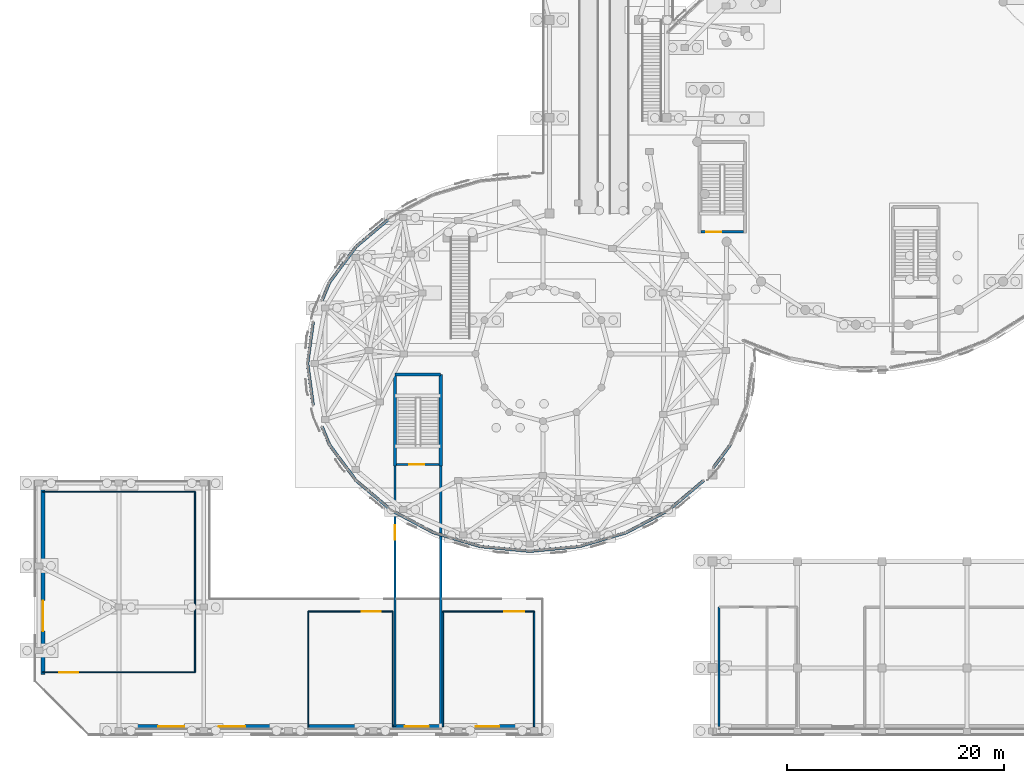
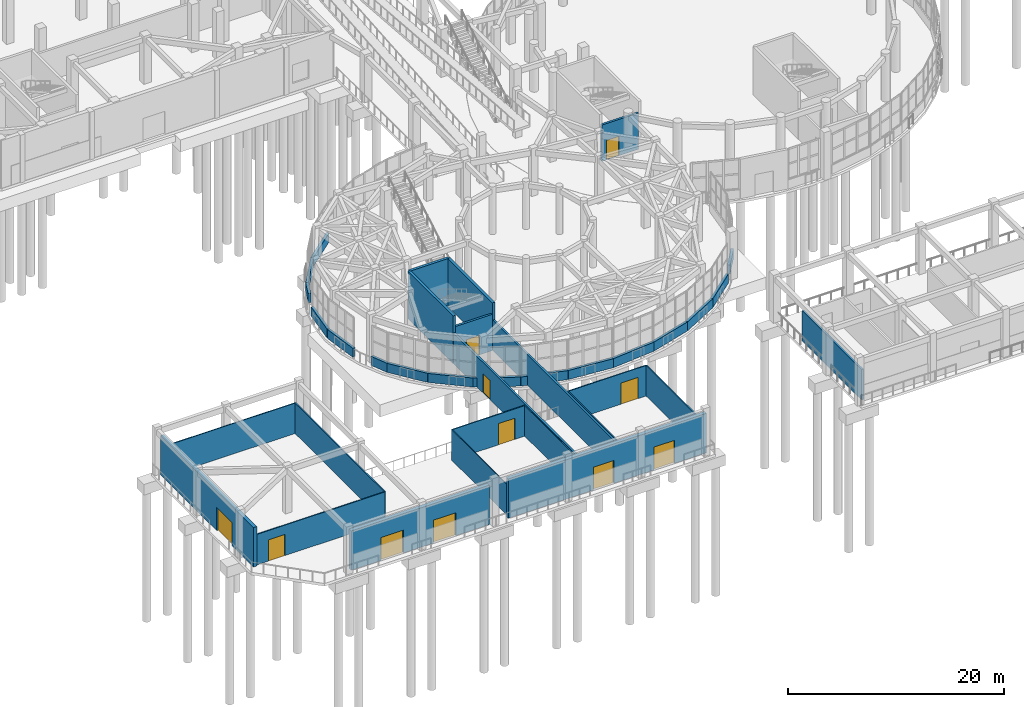
# One storey, part 71 of 96: 36 walls, 11 doors, 11 openings.
"""IFC4 building model written with IfcOpenShell, lengths in metres."""

from ifc_helpers import new_model, si_unit, direction, frame, frame_2d, origin, place, context, subcontext, project, spatial, rectangle, extrude, material, layer, layer_set, type_object, element, fill, save


model = new_model("IFC4")

# Units and contexts
model_context = context("Model", 3, precision=1e-05, world=origin(), true_north=direction((0.0, 1.0)))
body_context = subcontext(model_context, "Body", "Model", "MODEL_VIEW")
ifc_project = project(units=[si_unit("LENGTHUNIT", "METRE"), si_unit("AREAUNIT", "SQUARE_METRE"), si_unit("VOLUMEUNIT", "CUBIC_METRE"), si_unit("PLANEANGLEUNIT", "RADIAN"), si_unit("MASSUNIT", "GRAM", prefix="KILO")], contexts=[model_context])

# Site, building, storey
site_placement = place(None, origin())
site = spatial("IfcSite", under=ifc_project, at=site_placement, CompositionType="ELEMENT")
building_placement = place(site_placement, origin())
building = spatial("IfcBuilding", under=site, at=building_placement, Name="Pelvatis Terrace Science Centre", CompositionType="ELEMENT")
storey_placement = place(building_placement, origin())
storey = spatial("IfcBuildingStorey", under=building, at=storey_placement, Name="L00", CompositionType="ELEMENT", Elevation=0.0)

# Wall, openings, doors
ifc_material_1 = material(Name="Polished black Uruguayan granite masonry", Category="masonry")
ifc_layer_1 = layer(ifc_material_1, 0.3798828125)
ifc_layer_set_1 = layer_set([ifc_layer_1], Name="Polished black Uruguayan granite masonry")
wall_type_1 = type_object("IfcWallType", Name="WL-EXT-GRAN-380", PredefinedType="SOLIDWALL", material=ifc_layer_set_1)
wall_1_placement = place(storey_placement, frame((23.0, 0.800048828125, 0.0), z_axis=(0.0, 0.0, 1.0), x_axis=(-1.0, 0.0, 0.0)))
wall_1 = element("IfcWall", 1, at=wall_1_placement, inside=storey, type_object=wall_type_1, Name="L00 exterior wall EW-L00-S1", PredefinedType="SOLIDWALL", context=body_context, shape_type="SweptSolid", body=[
    extrude(rectangle(XDim=14.800048828125, YDim=0.3798828125, at=frame_2d((7.39990234375, 0.0))), origin(), (0.0, 0.0, 1.0), 4.4599609375),
])
opening_1_placement = place(wall_1_placement, frame((9.199951171875, 0.0, 0.0)))
opening_1 = element("IfcOpeningElement", 2, at=opening_1_placement, cuts=wall_1, Name="Opening D-001", PredefinedType="OPENING", context=body_context, shape_type="SweptSolid", body=[
    extrude(rectangle(XDim=2.39990234375, YDim=2.60009765625, at=frame_2d((1.199951171875, 1.300048828125))), frame((0.0, 0.199951171875, 0.0), z_axis=(0.0, -1.0, 0.0), x_axis=(1.0, 0.0, 0.0)), (0.0, 0.0, 1.0), 0.39990234375),
])
opening_2_placement = place(wall_1_placement, frame((3.60009765625, 0.0, 0.0)))
opening_2 = element("IfcOpeningElement", 3, at=opening_2_placement, cuts=wall_1, Name="Opening D-002", PredefinedType="OPENING", context=body_context, shape_type="SweptSolid", body=[
    extrude(rectangle(XDim=2.39990234375, YDim=2.60009765625, at=frame_2d((1.199951171875, 1.300048828125))), frame((0.0, 0.199951171875, 0.0), z_axis=(0.0, -1.0, 0.0), x_axis=(1.0, 0.0, 0.0)), (0.0, 0.0, 1.0), 0.39990234375),
])
ifc_material_2 = material(Name="Bronze-framed glazed double entrance door", Category="glass")
door_type_1 = type_object("IfcDoorType", Name="DR-EXT-2400x2600", OperationType="NOTDEFINED", PredefinedType="DOOR", material=ifc_material_2)
door_1_placement = place(opening_1_placement, origin())
door_1 = element("IfcDoor", 4, at=door_1_placement, inside=storey, type_object=door_type_1, Name="Main portico south exit door D-001", OperationType="DOUBLE_DOOR_SINGLE_SWING", OverallHeight=2.60009765625, OverallWidth=2.39990234375, PredefinedType="DOOR", context=body_context, shape_type="SweptSolid", body=[
    extrude(rectangle(XDim=2.39990234375, YDim=2.60009765625, at=frame_2d((1.199951171875, 1.300048828125))), frame((0.0, 0.02490234375, 0.0), z_axis=(0.0, -1.0, 0.0), x_axis=(1.0, 0.0, 0.0)), (0.0, 0.0, 1.0), 0.050048828125),
])
fill(opening_1, door_1)
door_2_placement = place(opening_2_placement, origin())
door_2 = element("IfcDoor", 5, at=door_2_placement, inside=storey, type_object=door_type_1, Name="Main portico south exit door D-002", OperationType="DOUBLE_DOOR_SINGLE_SWING", OverallHeight=2.60009765625, OverallWidth=2.39990234375, PredefinedType="DOOR", context=body_context, shape_type="SweptSolid", body=[
    extrude(rectangle(XDim=2.39990234375, YDim=2.60009765625, at=frame_2d((1.199951171875, 1.300048828125))), frame((0.0, 0.02490234375, 0.0), z_axis=(0.0, -1.0, 0.0), x_axis=(1.0, 0.0, 0.0)), (0.0, 0.0, 1.0), 0.050048828125),
])
fill(opening_2, door_2)

wall_2_placement = place(storey_placement, frame((46.199951171875, 0.800048828125, 0.0), z_axis=(0.0, 0.0, 1.0), x_axis=(-1.0, 0.0, 0.0)))
wall_2 = element("IfcWall", 6, at=wall_2_placement, inside=storey, type_object=wall_type_1, Name="L00 exterior wall EW-L00-S2", PredefinedType="SOLIDWALL", context=body_context, shape_type="SweptSolid", body=[
    extrude(rectangle(XDim=21.199951171875, YDim=0.3798828125, at=frame_2d((10.60009765625, 0.0))), origin(), (0.0, 0.0, 1.0), 4.4599609375),
])
opening_3_placement = place(wall_2_placement, frame((9.89990234375, 0.0, 0.0)))
opening_3 = element("IfcOpeningElement", 7, at=opening_3_placement, cuts=wall_2, Name="Opening D-003", PredefinedType="OPENING", context=body_context, shape_type="SweptSolid", body=[
    extrude(rectangle(XDim=2.199951171875, YDim=2.60009765625, at=frame_2d((1.10009765625, 1.300048828125))), frame((0.0, 0.199951171875, 0.0), z_axis=(0.0, -1.0, 0.0), x_axis=(1.0, 0.0, 0.0)), (0.0, 0.0, 1.0), 0.39990234375),
])
opening_4_placement = place(wall_2_placement, frame((3.39990234375, 0.0, 0.0)))
opening_4 = element("IfcOpeningElement", 8, at=opening_4_placement, cuts=wall_2, Name="Opening D-004", PredefinedType="OPENING", context=body_context, shape_type="SweptSolid", body=[
    extrude(rectangle(XDim=2.199951171875, YDim=2.60009765625, at=frame_2d((1.10009765625, 1.300048828125))), frame((0.0, 0.199951171875, 0.0), z_axis=(0.0, -1.0, 0.0), x_axis=(1.0, 0.0, 0.0)), (0.0, 0.0, 1.0), 0.39990234375),
])
ifc_material_3 = material(Name="Bronze-framed glazed double entrance door", Category="glass")
door_type_2 = type_object("IfcDoorType", Name="DR-EXT-2200x2600", OperationType="NOTDEFINED", PredefinedType="DOOR", material=ifc_material_3)
door_3_placement = place(opening_3_placement, origin())
door_3 = element("IfcDoor", 9, at=door_3_placement, inside=storey, type_object=door_type_2, Name="Science shop and cafe exit door D-003", OperationType="DOUBLE_DOOR_SINGLE_SWING", OverallHeight=2.60009765625, OverallWidth=2.199951171875, PredefinedType="DOOR", context=body_context, shape_type="SweptSolid", body=[
    extrude(rectangle(XDim=2.199951171875, YDim=2.60009765625, at=frame_2d((1.10009765625, 1.300048828125))), frame((0.0, 0.02490234375, 0.0), z_axis=(0.0, -1.0, 0.0), x_axis=(1.0, 0.0, 0.0)), (0.0, 0.0, 1.0), 0.050048828125),
])
fill(opening_3, door_3)
door_4_placement = place(opening_4_placement, origin())
door_4 = element("IfcDoor", 10, at=door_4_placement, inside=storey, type_object=door_type_2, Name="Public cafe south exit door D-004", OperationType="DOUBLE_DOOR_SINGLE_SWING", OverallHeight=2.60009765625, OverallWidth=2.199951171875, PredefinedType="DOOR", context=body_context, shape_type="SweptSolid", body=[
    extrude(rectangle(XDim=2.199951171875, YDim=2.60009765625, at=frame_2d((1.10009765625, 1.300048828125))), frame((0.0, 0.02490234375, 0.0), z_axis=(0.0, -1.0, 0.0), x_axis=(1.0, 0.0, 0.0)), (0.0, 0.0, 1.0), 0.050048828125),
])
fill(opening_4, door_4)

# Wall, opening, door
wall_3_placement = place(storey_placement, frame((0.800048828125, 5.60009765625, 0.0), z_axis=(0.0, 0.0, 1.0), x_axis=(0.0, 1.0, 0.0)))
wall_3 = element("IfcWall", 11, at=wall_3_placement, inside=storey, type_object=wall_type_1, Name="L00 exterior wall EW-L00-WESTPL", PredefinedType="SOLIDWALL", context=body_context, shape_type="SweptSolid", body=[
    extrude(rectangle(XDim=17.199951171875, YDim=0.3798828125, at=frame_2d((8.60009765625, 0.0))), origin(), (0.0, 0.0, 1.0), 4.4599609375),
])
opening_5_placement = place(wall_3_placement, frame((4.0, 0.0, 0.0)))
opening_5 = element("IfcOpeningElement", 12, at=opening_5_placement, cuts=wall_3, Name="Opening G-004", PredefinedType="OPENING", context=body_context, shape_type="SweptSolid", body=[
    extrude(rectangle(XDim=2.800048828125, YDim=2.60009765625, at=frame_2d((1.39990234375, 1.300048828125))), frame((0.0, 0.199951171875, 0.0), z_axis=(0.0, -1.0, 0.0), x_axis=(1.0, 0.0, 0.0)), (0.0, 0.0, 1.0), 0.39990234375),
])
ifc_material_4 = material(Name="Perforated bronze botanical court gate", Category="aluminium")
door_type_3 = type_object("IfcDoorType", Name="GT-PAR-2800x2600", OperationType="NOTDEFINED", PredefinedType="GATE", material=ifc_material_4)
door_5_placement = place(opening_5_placement, origin())
door_5 = element("IfcDoor", 13, at=door_5_placement, inside=storey, type_object=door_type_3, Name="West plaza colonnade gate G-004", OperationType="DOUBLE_DOOR_SINGLE_SWING", OverallHeight=2.60009765625, OverallWidth=2.800048828125, PredefinedType="GATE", context=body_context, shape_type="SweptSolid", body=[
    extrude(rectangle(XDim=2.800048828125, YDim=2.60009765625, at=frame_2d((1.39990234375, 1.300048828125))), frame((0.0, 0.02490234375, 0.0), z_axis=(0.0, -1.0, 0.0), x_axis=(1.0, 0.0, 0.0)), (0.0, 0.0, 1.0), 0.050048828125),
])
fill(opening_5, door_5)

# Walls
ifc_material_5 = material(Name="White architectural precast concrete C40/50 spandrel", Category="concrete")
ifc_layer_2 = layer(ifc_material_5, 0.27490234375)
ifc_layer_set_2 = layer_set([ifc_layer_2], Name="White architectural precast concrete C40/50 spandrel")
wall_type_2 = type_object("IfcWallType", Name="WL-EXT-SPND-275", PredefinedType="SOLIDWALL", material=ifc_layer_set_2)
wall_4_placement = place(storey_placement, frame((32.849609375, 47.6865234375, 0.0), z_axis=(0.0, 0.0, 1.0), x_axis=(-0.764366928563, -0.644781512234, 0.0)))
element("IfcWall", 14, at=wall_4_placement, inside=storey, type_object=wall_type_2, Name="V3 white spiral spandrel band 11 (L00)", PredefinedType="SOLIDWALL", context=body_context, shape_type="SweptSolid", body=[
    extrude(rectangle(XDim=4.236328125, YDim=0.27490234375, at=frame_2d((2.1181640625, 0.0))), origin(), (0.0, 0.0, 1.0), 1.02001953125),
])
wall_5_placement = place(storey_placement, frame((29.611572265625, 44.955078125, 0.0), z_axis=(0.0, 0.0, 1.0), x_axis=(-0.597391499289, -0.801949746915, 0.0)))
element("IfcWall", 15, at=wall_5_placement, inside=storey, type_object=wall_type_2, Name="V3 white spiral spandrel band 12 (L00)", PredefinedType="SOLIDWALL", context=body_context, shape_type="SweptSolid", body=[
    extrude(rectangle(XDim=4.078125, YDim=0.27490234375, at=frame_2d((2.0390625, 0.0))), origin(), (0.0, 0.0, 1.0), 1.02001953125),
])
wall_6_placement = place(storey_placement, frame((27.17529296875, 41.6845703125, 0.0), z_axis=(0.0, 0.0, 1.0), x_axis=(-0.383223147377, -0.923655790495, 0.0)))
element("IfcWall", 16, at=wall_6_placement, inside=storey, type_object=wall_type_2, Name="V3 white spiral spandrel band 13 (L00)", PredefinedType="SOLIDWALL", context=body_context, shape_type="SweptSolid", body=[
    extrude(rectangle(XDim=1.8310546875, YDim=0.27490234375, at=frame_2d((0.91552734375, 0.0))), origin(), (0.0, 0.0, 1.0), 1.02001953125),
])
wall_7_placement = place(storey_placement, frame((25.66259765625, 38.03857421875, 0.0), z_axis=(0.0, 0.0, 1.0), x_axis=(-0.132386701209, -0.99119814434, 0.0)))
element("IfcWall", 17, at=wall_7_placement, inside=storey, type_object=wall_type_2, Name="V3 white spiral spandrel band 14 (L00)", PredefinedType="SOLIDWALL", context=body_context, shape_type="SweptSolid", body=[
    extrude(rectangle(XDim=3.872802734375, YDim=0.27490234375, at=frame_2d((1.9365234375, 0.0))), origin(), (0.0, 0.0, 1.0), 1.02001953125),
])
wall_8_placement = place(storey_placement, frame((25.14990234375, 34.199951171875, 0.0), z_axis=(0.0, 0.0, 1.0), x_axis=(0.132394974091, -0.99119703936, 0.0)))
element("IfcWall", 18, at=wall_8_placement, inside=storey, type_object=wall_type_2, Name="V3 white spiral spandrel band 15 (L00)", PredefinedType="SOLIDWALL", context=body_context, shape_type="SweptSolid", body=[
    extrude(rectangle(XDim=3.87255859375, YDim=0.27490234375, at=frame_2d((1.936279296875, 0.0))), origin(), (0.0, 0.0, 1.0), 1.02001953125),
])
wall_9_placement = place(storey_placement, frame((26.4736328125, 28.406494140625, 0.0), z_axis=(0.0, 0.0, 1.0), x_axis=(0.383270351045, -0.923636204363, 0.0)))
element("IfcWall", 19, at=wall_9_placement, inside=storey, type_object=wall_type_2, Name="V3 white spiral spandrel band 16 (L00)", PredefinedType="SOLIDWALL", context=body_context, shape_type="SweptSolid", body=[
    extrude(rectangle(XDim=1.830810546875, YDim=0.27490234375, at=frame_2d((0.91552734375, 0.0))), origin(), (0.0, 0.0, 1.0), 1.02001953125),
])
wall_10_placement = place(storey_placement, frame((27.17529296875, 26.715576171875, 0.0), z_axis=(0.0, 0.0, 1.0), x_axis=(0.597362820345, -0.801971109747, 0.0)))
element("IfcWall", 20, at=wall_10_placement, inside=storey, type_object=wall_type_2, Name="V3 white spiral spandrel band 17 (L00)", PredefinedType="SOLIDWALL", context=body_context, shape_type="SweptSolid", body=[
    extrude(rectangle(XDim=4.078369140625, YDim=0.27490234375, at=frame_2d((2.0390625, 0.0))), origin(), (0.0, 0.0, 1.0), 1.02001953125),
])
wall_11_placement = place(storey_placement, frame((29.611572265625, 23.44482421875, 0.0), z_axis=(0.0, 0.0, 1.0), x_axis=(0.764366928563, -0.644781512234, 0.0)))
element("IfcWall", 21, at=wall_11_placement, inside=storey, type_object=wall_type_2, Name="V3 white spiral spandrel band 18 (L00)", PredefinedType="SOLIDWALL", context=body_context, shape_type="SweptSolid", body=[
    extrude(rectangle(XDim=4.236328125, YDim=0.27490234375, at=frame_2d((2.1181640625, 0.0))), origin(), (0.0, 0.0, 1.0), 1.02001953125),
])
wall_12_placement = place(storey_placement, frame((32.849609375, 20.71337890625, 0.0), z_axis=(0.0, 0.0, 1.0), x_axis=(0.883560469247, -0.468317090425, 0.0)))
element("IfcWall", 22, at=wall_12_placement, inside=storey, type_object=wall_type_2, Name="V3 white spiral spandrel band 19 (L00)", PredefinedType="SOLIDWALL", context=body_context, shape_type="SweptSolid", body=[
    extrude(rectangle(XDim=4.388427734375, YDim=0.27490234375, at=frame_2d((2.1943359375, 0.0))), origin(), (0.0, 0.0, 1.0), 1.02001953125),
])
wall_13_placement = place(storey_placement, frame((36.72705078125, 18.658203125, 0.0), z_axis=(0.0, 0.0, 1.0), x_axis=(0.959101976786, -0.28306076755, 0.0)))
element("IfcWall", 23, at=wall_13_placement, inside=storey, type_object=wall_type_2, Name="V3 white spiral spandrel band 20 (L00)", PredefinedType="SOLIDWALL", context=body_context, shape_type="SweptSolid", body=[
    extrude(rectangle(XDim=4.506591796875, YDim=0.27490234375, at=frame_2d((2.25341796875, 0.0))), origin(), (0.0, 0.0, 1.0), 1.02001953125),
])
wall_14_placement = place(storey_placement, frame((41.04931640625, 17.382568359375, 0.0), z_axis=(0.0, 0.0, 1.0), x_axis=(0.995511780068, -0.094637707848, 0.0)))
element("IfcWall", 24, at=wall_14_placement, inside=storey, type_object=wall_type_2, Name="V3 white spiral spandrel band 21 (L00)", PredefinedType="SOLIDWALL", context=body_context, shape_type="SweptSolid", body=[
    extrude(rectangle(XDim=4.5712890625, YDim=0.27490234375, at=frame_2d((2.28564453125, 0.0))), origin(), (0.0, 0.0, 1.0), 1.02001953125),
])
wall_15_placement = place(storey_placement, frame((45.60009765625, 16.949951171875, 0.0), z_axis=(0.0, 0.0, 1.0), x_axis=(0.995511301698, 0.094642739772, 0.0)))
element("IfcWall", 25, at=wall_15_placement, inside=storey, type_object=wall_type_2, Name="V3 white spiral spandrel band 22 (L00)", PredefinedType="SOLIDWALL", context=body_context, shape_type="SweptSolid", body=[
    extrude(rectangle(XDim=4.571044921875, YDim=0.27490234375, at=frame_2d((2.28564453125, 0.0))), origin(), (0.0, 0.0, 1.0), 1.02001953125),
])
wall_16_placement = place(storey_placement, frame((50.150634765625, 17.382568359375, 0.0), z_axis=(0.0, 0.0, 1.0), x_axis=(0.959101976786, 0.28306076755, 0.0)))
element("IfcWall", 26, at=wall_16_placement, inside=storey, type_object=wall_type_2, Name="V3 white spiral spandrel band 23 (L00)", PredefinedType="SOLIDWALL", context=body_context, shape_type="SweptSolid", body=[
    extrude(rectangle(XDim=4.506591796875, YDim=0.27490234375, at=frame_2d((2.25341796875, 0.0))), origin(), (0.0, 0.0, 1.0), 1.02001953125),
])
wall_17_placement = place(storey_placement, frame((54.472900390625, 18.658203125, 0.0), z_axis=(0.0, 0.0, 1.0), x_axis=(0.883560469247, 0.468317090425, 0.0)))
element("IfcWall", 27, at=wall_17_placement, inside=storey, type_object=wall_type_2, Name="V3 white spiral spandrel band 24 (L00)", PredefinedType="SOLIDWALL", context=body_context, shape_type="SweptSolid", body=[
    extrude(rectangle(XDim=4.388427734375, YDim=0.27490234375, at=frame_2d((2.1943359375, 0.0))), origin(), (0.0, 0.0, 1.0), 1.02001953125),
])
wall_18_placement = place(storey_placement, frame((58.350341796875, 20.71337890625, 0.0), z_axis=(0.0, 0.0, 1.0), x_axis=(0.764366928563, 0.644781512234, 0.0)))
element("IfcWall", 28, at=wall_18_placement, inside=storey, type_object=wall_type_2, Name="V3 white spiral spandrel band 25 (L00)", PredefinedType="SOLIDWALL", context=body_context, shape_type="SweptSolid", body=[
    extrude(rectangle(XDim=4.236328125, YDim=0.27490234375, at=frame_2d((2.1181640625, 0.0))), origin(), (0.0, 0.0, 1.0), 1.02001953125),
])
wall_19_placement = place(storey_placement, frame((62.44287109375, 24.591552734375, 0.0), z_axis=(0.0, 0.0, 1.0), x_axis=(0.597341843489, 0.801986734315, 0.0)))
element("IfcWall", 29, at=wall_19_placement, inside=storey, type_object=wall_type_2, Name="V3 white spiral spandrel band 26 (L00)", PredefinedType="SOLIDWALL", context=body_context, shape_type="SweptSolid", body=[
    extrude(rectangle(XDim=2.6484375, YDim=0.27490234375, at=frame_2d((1.32421875, 0.0))), origin(), (0.0, 0.0, 1.0), 1.02001953125),
])
ifc_material_6 = material(Name="Masonry fire-compartment wall", Category="masonry")
ifc_layer_3 = layer(ifc_material_6, 0.199951171875)
ifc_layer_set_3 = layer_set([ifc_layer_3], Name="Masonry fire-compartment wall")
wall_type_3 = type_object("IfcWallType", Name="WL-INT-COMP-200", PredefinedType="PARTITIONING", material=ifc_layer_set_3)
wall_20_placement = place(storey_placement, frame((63.0, 11.800048828125, 0.0), z_axis=(0.0, 0.0, 1.0), x_axis=(0.0, -1.0, 0.0)))
element("IfcWall", 30, at=wall_20_placement, inside=storey, type_object=wall_type_3, Name="Fire Command and Emergency Control Room partition wall W", PredefinedType="PARTITIONING", context=body_context, shape_type="SweptSolid", body=[
    extrude(rectangle(XDim=11.0, YDim=0.199951171875, at=frame_2d((5.5, 0.0))), origin(), (0.0, 0.0, 1.0), 3.449951171875),
])
ifc_material_7 = material(Name="Concrete C35/45 shaft dividing wall", Category="concrete")
ifc_layer_4 = layer(ifc_material_7, 0.2099609375)
ifc_layer_set_4 = layer_set([ifc_layer_4], Name="Concrete C35/45 shaft dividing wall")
wall_type_4 = type_object("IfcWallType", Name="WL-INT-CORE-210", PredefinedType="PARTITIONING", material=ifc_layer_set_4)
wall_21_placement = place(storey_placement, frame((37.39990234375, 0.800048828125, 0.0), z_axis=(0.0, 0.0, 1.0), x_axis=(0.0, 1.0, 0.0)))
element("IfcWall", 31, at=wall_21_placement, inside=storey, type_object=wall_type_4, Name="Protected Exit Discharge Lobby EX8 partition wall E", PredefinedType="PARTITIONING", context=body_context, shape_type="SweptSolid", body=[
    extrude(rectangle(XDim=24.0, YDim=0.2099609375, at=frame_2d((12.0, 0.0))), origin(), (0.0, 0.0, 1.0), 3.449951171875),
])

# Wall, opening, door
wall_22_placement = place(storey_placement, frame((33.199951171875, 0.800048828125, 0.0), z_axis=(0.0, 0.0, 1.0), x_axis=(0.0, 1.0, 0.0)))
wall_22 = element("IfcWall", 32, at=wall_22_placement, inside=storey, type_object=wall_type_4, Name="Protected Exit Discharge Lobby EX8 partition wall W", PredefinedType="PARTITIONING", context=body_context, shape_type="SweptSolid", body=[
    extrude(rectangle(XDim=24.0, YDim=0.2099609375, at=frame_2d((12.0, 0.0))), origin(), (0.0, 0.0, 1.0), 3.449951171875),
])
opening_6_placement = place(wall_22_placement, frame((17.199951171875, 0.0, 0.0)))
opening_6 = element("IfcOpeningElement", 33, at=opening_6_placement, cuts=wall_22, Name="Opening D-181", PredefinedType="OPENING", context=body_context, shape_type="SweptSolid", body=[
    extrude(rectangle(XDim=1.35009765625, YDim=2.199951171875, at=frame_2d((0.675048828125, 1.10009765625))), frame((0.0, 0.114990234375, 0.0), z_axis=(0.0, -1.0, 0.0), x_axis=(1.0, 0.0, 0.0)), (0.0, 0.0, 1.0), 0.22998046875),
])
ifc_material_8 = material(Name="Steel fire-rated protected stair door", Category="steel")
door_type_4 = type_object("IfcDoorType", Name="DR-STAIR-1350x2200", OperationType="NOTDEFINED", PredefinedType="DOOR", material=ifc_material_8)
door_6_placement = place(opening_6_placement, origin())
door_6 = element("IfcDoor", 34, at=door_6_placement, inside=storey, type_object=door_type_4, Name="Protected Exit Discharge Lobby EX8 entrance door", OperationType="SINGLE_SWING_RIGHT", OverallHeight=2.199951171875, OverallWidth=1.35009765625, PredefinedType="DOOR", context=body_context, shape_type="SweptSolid", body=[
    extrude(rectangle(XDim=1.35009765625, YDim=2.199951171875, at=frame_2d((0.675048828125, 1.10009765625))), frame((0.0, 0.02490234375, 0.0), z_axis=(0.0, -1.0, 0.0), x_axis=(1.0, 0.0, 0.0)), (0.0, 0.0, 1.0), 0.050048828125),
])
fill(opening_6, door_6)

ifc_material_9 = material(Name="Concrete C35/45 stair enclosure wall", Category="concrete")
ifc_layer_5 = layer(ifc_material_9, 0.22509765625)
ifc_layer_set_5 = layer_set([ifc_layer_5], Name="Concrete C35/45 stair enclosure wall")
wall_type_5 = type_object("IfcWallType", Name="WL-INT-CORE-225", PredefinedType="PARTITIONING", material=ifc_layer_set_5)
wall_23_placement = place(storey_placement, frame((61.340087890625, 46.320068359375, 0.0), z_axis=(0.0, 0.0, 1.0), x_axis=(1.0, 0.0, 0.0)))
wall_23 = element("IfcWall", 35, at=wall_23_placement, inside=storey, type_object=wall_type_5, Name="Stair ST-05 shaft wall S (L00)", PredefinedType="PARTITIONING", context=body_context, shape_type="SweptSolid", body=[
    extrude(rectangle(XDim=3.919921875, YDim=0.22509765625, at=frame_2d((1.9599609375, 0.0))), origin(), (0.0, 0.0, 1.0), 4.110107421875),
])
opening_7_placement = place(wall_23_placement, frame((0.5, 0.0, 0.0)))
opening_7 = element("IfcOpeningElement", 36, at=opening_7_placement, cuts=wall_23, Name="Opening D-151", PredefinedType="OPENING", context=body_context, shape_type="SweptSolid", body=[
    extrude(rectangle(XDim=1.35009765625, YDim=2.199951171875, at=frame_2d((0.675048828125, 1.10009765625))), frame((0.0, 0.12255859375, 0.0), z_axis=(0.0, -1.0, 0.0), x_axis=(1.0, 0.0, 0.0)), (0.0, 0.0, 1.0), 0.2451171875),
])
door_7_placement = place(opening_7_placement, origin())
door_7 = element("IfcDoor", 37, at=door_7_placement, inside=storey, type_object=door_type_4, Name="Stair ST-05 fire door (L00)", OperationType="SINGLE_SWING_LEFT", OverallHeight=2.199951171875, OverallWidth=1.35009765625, PredefinedType="DOOR", context=body_context, shape_type="SweptSolid", body=[
    extrude(rectangle(XDim=1.35009765625, YDim=2.199951171875, at=frame_2d((0.675048828125, 1.10009765625))), frame((0.0, 0.02490234375, 0.0), z_axis=(0.0, -1.0, 0.0), x_axis=(1.0, 0.0, 0.0)), (0.0, 0.0, 1.0), 0.050048828125),
])
fill(opening_7, door_7)

wall_24_placement = place(storey_placement, frame((33.340087890625, 24.919921875, 0.0), z_axis=(0.0, 0.0, 1.0), x_axis=(1.0, 0.0, 0.0)))
wall_24 = element("IfcWall", 38, at=wall_24_placement, inside=storey, type_object=wall_type_5, Name="Stair ST-08 shaft wall S (L00)", PredefinedType="PARTITIONING", context=body_context, shape_type="SweptSolid", body=[
    extrude(rectangle(XDim=3.919921875, YDim=0.22509765625, at=frame_2d((1.9599609375, 0.0))), origin(), (0.0, 0.0, 1.0), 4.110107421875),
])
opening_8_placement = place(wall_24_placement, frame((1.173095703125, 0.0, 0.0)))
opening_8 = element("IfcOpeningElement", 39, at=opening_8_placement, cuts=wall_24, Name="Opening D-160", PredefinedType="OPENING", context=body_context, shape_type="SweptSolid", body=[
    extrude(rectangle(XDim=1.35009765625, YDim=2.199951171875, at=frame_2d((0.675048828125, 1.10009765625))), frame((0.0, 0.12255859375, 0.0), z_axis=(0.0, -1.0, 0.0), x_axis=(1.0, 0.0, 0.0)), (0.0, 0.0, 1.0), 0.2451171875),
])
door_8_placement = place(opening_8_placement, origin())
door_8 = element("IfcDoor", 40, at=door_8_placement, inside=storey, type_object=door_type_4, Name="Stair ST-08 fire door (L00)", OperationType="SINGLE_SWING_LEFT", OverallHeight=2.199951171875, OverallWidth=1.35009765625, PredefinedType="DOOR", context=body_context, shape_type="SweptSolid", body=[
    extrude(rectangle(XDim=1.35009765625, YDim=2.199951171875, at=frame_2d((0.675048828125, 1.10009765625))), frame((0.0, 0.02490234375, 0.0), z_axis=(0.0, -1.0, 0.0), x_axis=(1.0, 0.0, 0.0)), (0.0, 0.0, 1.0), 0.050048828125),
])
fill(opening_8, door_8)

# Walls
ifc_material_10 = material(Name="Glazed laboratory screen", Category="glass")
ifc_layer_6 = layer(ifc_material_10, 0.097900390625)
ifc_layer_set_6 = layer_set([ifc_layer_6], Name="Glazed laboratory screen")
wall_type_6 = type_object("IfcWallType", Name="WL-INT-GAL-098", PredefinedType="PARTITIONING", material=ifc_layer_set_6)
wall_25_placement = place(storey_placement, frame((14.800048828125, 22.39990234375, 0.0), z_axis=(0.0, 0.0, 1.0), x_axis=(-1.0, 0.0, 0.0)))
element("IfcWall", 41, at=wall_25_placement, inside=storey, type_object=wall_type_6, Name="Visitor Ticketing and Cloakroom Foyer partition wall N", PredefinedType="PARTITIONING", context=body_context, shape_type="SweptSolid", body=[
    extrude(rectangle(XDim=14.0, YDim=0.097900390625, at=frame_2d((7.0, 0.0))), origin(), (0.0, 0.0, 1.0), 3.449951171875),
])
wall_26_placement = place(storey_placement, frame((25.199951171875, 11.39990234375, 0.0), z_axis=(0.0, 0.0, 1.0), x_axis=(0.0, -1.0, 0.0)))
element("IfcWall", 42, at=wall_26_placement, inside=storey, type_object=wall_type_6, Name="Museum Science Bookshop and Discovery Store partition wall W", PredefinedType="PARTITIONING", context=body_context, shape_type="SweptSolid", body=[
    extrude(rectangle(XDim=10.599853515625, YDim=0.097900390625, at=frame_2d((5.2998046875, 0.0))), origin(), (0.0, 0.0, 1.0), 3.449951171875),
])
ifc_material_11 = material(Name="Office partition wall", Category="masonry")
ifc_layer_7 = layer(ifc_material_11, 0.139892578125)
ifc_layer_set_7 = layer_set([ifc_layer_7], Name="Office partition wall")
wall_type_7 = type_object("IfcWallType", Name="WL-INT-GAL-140", PredefinedType="PARTITIONING", material=ifc_layer_set_7)
wall_27_placement = place(storey_placement, frame((46.0, 0.800048828125, 0.0), z_axis=(0.0, 0.0, 1.0), x_axis=(0.0, 1.0, 0.0)))
element("IfcWall", 43, at=wall_27_placement, inside=storey, type_object=wall_type_7, Name="Coastal Terrace Public Cafe and Dining Room partition wall E", PredefinedType="PARTITIONING", context=body_context, shape_type="SweptSolid", body=[
    extrude(rectangle(XDim=10.599853515625, YDim=0.139892578125, at=frame_2d((5.2998046875, 0.0))), origin(), (0.0, 0.0, 1.0), 3.449951171875),
])

# Wall, opening, door
ifc_material_12 = material(Name="Framed acoustic glass seminar screen", Category="glass")
ifc_layer_8 = layer(ifc_material_12, 0.10498046875)
ifc_layer_set_8 = layer_set([ifc_layer_8], Name="Framed acoustic glass seminar screen")
wall_type_8 = type_object("IfcWallType", Name="WL-INT-GLZ-105", PredefinedType="PARTITIONING", material=ifc_layer_set_8)
wall_28_placement = place(storey_placement, frame((0.800048828125, 5.800048828125, 0.0), z_axis=(0.0, 0.0, 1.0), x_axis=(1.0, 0.0, 0.0)))
wall_28 = element("IfcWall", 44, at=wall_28_placement, inside=storey, type_object=wall_type_8, Name="Visitor Ticketing and Cloakroom Foyer partition wall S", PredefinedType="PARTITIONING", context=body_context, shape_type="SweptSolid", body=[
    extrude(rectangle(XDim=14.0, YDim=0.10498046875, at=frame_2d((7.0, 0.0))), origin(), (0.0, 0.0, 1.0), 3.449951171875),
])
opening_9_placement = place(wall_28_placement, frame((1.50390625, 0.0, 0.0)))
opening_9 = element("IfcOpeningElement", 45, at=opening_9_placement, cuts=wall_28, Name="Opening D-173", PredefinedType="OPENING", context=body_context, shape_type="SweptSolid", body=[
    extrude(rectangle(XDim=1.75, YDim=2.39990234375, at=frame_2d((0.875, 1.199951171875))), frame((0.0, 0.0625, 0.0), z_axis=(0.0, -1.0, 0.0), x_axis=(1.0, 0.0, 0.0)), (0.0, 0.0, 1.0), 0.125),
])
ifc_material_13 = material(Name="Frameless laminated glass bookshop entrance door", Category="glass")
door_type_5 = type_object("IfcDoorType", Name="DR-SHOP-1750x2400", OperationType="NOTDEFINED", PredefinedType="DOOR", material=ifc_material_13)
door_9_placement = place(opening_9_placement, origin())
door_9 = element("IfcDoor", 46, at=door_9_placement, inside=storey, type_object=door_type_5, Name="Visitor Ticketing and Cloakroom Foyer entrance door", OperationType="DOUBLE_DOOR_SINGLE_SWING", OverallHeight=2.39990234375, OverallWidth=1.75, PredefinedType="DOOR", context=body_context, shape_type="SweptSolid", body=[
    extrude(rectangle(XDim=1.75, YDim=2.39990234375, at=frame_2d((0.875, 1.199951171875))), frame((0.0, 0.02490234375, 0.0), z_axis=(0.0, -1.0, 0.0), x_axis=(1.0, 0.0, 0.0)), (0.0, 0.0, 1.0), 0.050048828125),
])
fill(opening_9, door_9)

# Wall
wall_29_placement = place(storey_placement, frame((33.0, 0.800048828125, 0.0), z_axis=(0.0, 0.0, 1.0), x_axis=(0.0, 1.0, 0.0)))
element("IfcWall", 47, at=wall_29_placement, inside=storey, type_object=wall_type_8, Name="Museum Science Bookshop and Discovery Store partition wall E", PredefinedType="PARTITIONING", context=body_context, shape_type="SweptSolid", body=[
    extrude(rectangle(XDim=10.599853515625, YDim=0.10498046875, at=frame_2d((5.2998046875, 0.0))), origin(), (0.0, 0.0, 1.0), 3.449951171875),
])

# Wall, opening, door
wall_30_placement = place(storey_placement, frame((33.0, 11.39990234375, 0.0), z_axis=(0.0, 0.0, 1.0), x_axis=(-1.0, 0.0, 0.0)))
wall_30 = element("IfcWall", 48, at=wall_30_placement, inside=storey, type_object=wall_type_8, Name="Museum Science Bookshop and Discovery Store partition wall N", PredefinedType="PARTITIONING", context=body_context, shape_type="SweptSolid", body=[
    extrude(rectangle(XDim=7.800048828125, YDim=0.10498046875, at=frame_2d((3.89990234375, 0.0))), origin(), (0.0, 0.0, 1.0), 3.449951171875),
])
opening_10_placement = place(wall_30_placement, frame((1.10595703125, 0.0, 0.0)))
opening_10 = element("IfcOpeningElement", 49, at=opening_10_placement, cuts=wall_30, Name="Opening D-174", PredefinedType="OPENING", context=body_context, shape_type="SweptSolid", body=[
    extrude(rectangle(XDim=1.75, YDim=2.39990234375, at=frame_2d((0.875, 1.199951171875))), frame((0.0, 0.0625, 0.0), z_axis=(0.0, -1.0, 0.0), x_axis=(1.0, 0.0, 0.0)), (0.0, 0.0, 1.0), 0.125),
])
door_10_placement = place(opening_10_placement, origin())
door_10 = element("IfcDoor", 50, at=door_10_placement, inside=storey, type_object=door_type_5, Name="Museum Science Bookshop and Discovery Store entrance door", OperationType="DOUBLE_DOOR_SINGLE_SWING", OverallHeight=2.39990234375, OverallWidth=1.75, PredefinedType="DOOR", context=body_context, shape_type="SweptSolid", body=[
    extrude(rectangle(XDim=1.75, YDim=2.39990234375, at=frame_2d((0.875, 1.199951171875))), frame((0.0, 0.02490234375, 0.0), z_axis=(0.0, -1.0, 0.0), x_axis=(1.0, 0.0, 0.0)), (0.0, 0.0, 1.0), 0.050048828125),
])
fill(opening_10, door_10)

wall_31_placement = place(storey_placement, frame((46.0, 11.39990234375, 0.0), z_axis=(0.0, 0.0, 1.0), x_axis=(-1.0, 0.0, 0.0)))
wall_31 = element("IfcWall", 51, at=wall_31_placement, inside=storey, type_object=wall_type_8, Name="Coastal Terrace Public Cafe and Dining Room partition wall N", PredefinedType="PARTITIONING", context=body_context, shape_type="SweptSolid", body=[
    extrude(rectangle(XDim=8.39990234375, YDim=0.10498046875, at=frame_2d((4.199951171875, 0.0))), origin(), (0.0, 0.0, 1.0), 3.449951171875),
])
opening_11_placement = place(wall_31_placement, frame((0.910888671875, 0.0, 0.0)))
opening_11 = element("IfcOpeningElement", 52, at=opening_11_placement, cuts=wall_31, Name="Opening D-175", PredefinedType="OPENING", context=body_context, shape_type="SweptSolid", body=[
    extrude(rectangle(XDim=1.85009765625, YDim=2.39990234375, at=frame_2d((0.925048828125, 1.199951171875))), frame((0.0, 0.0625, 0.0), z_axis=(0.0, -1.0, 0.0), x_axis=(1.0, 0.0, 0.0)), (0.0, 0.0, 1.0), 0.125),
])
ifc_material_14 = material(Name="Bronze-framed glazed cafe double door", Category="glass")
door_type_6 = type_object("IfcDoorType", Name="DR-CAFE-1850x2400", OperationType="NOTDEFINED", PredefinedType="DOOR", material=ifc_material_14)
door_11_placement = place(opening_11_placement, origin())
door_11 = element("IfcDoor", 53, at=door_11_placement, inside=storey, type_object=door_type_6, Name="Coastal Terrace Public Cafe and Dining Room entrance door", OperationType="DOUBLE_DOOR_SINGLE_SWING", OverallHeight=2.39990234375, OverallWidth=1.85009765625, PredefinedType="DOOR", context=body_context, shape_type="SweptSolid", body=[
    extrude(rectangle(XDim=1.85009765625, YDim=2.39990234375, at=frame_2d((0.925048828125, 1.199951171875))), frame((0.0, 0.02490234375, 0.0), z_axis=(0.0, -1.0, 0.0), x_axis=(1.0, 0.0, 0.0)), (0.0, 0.0, 1.0), 0.050048828125),
])
fill(opening_11, door_11)

# Walls
ifc_material_15 = material(Name="Standard gypsum board partition", Category="masonry")
ifc_layer_9 = layer(ifc_material_15, 0.125)
ifc_layer_set_9 = layer_set([ifc_layer_9], Name="Standard gypsum board partition")
wall_type_9 = type_object("IfcWallType", Name="WL-INT-STD-125", PredefinedType="PARTITIONING", material=ifc_layer_set_9)
wall_32_placement = place(storey_placement, frame((14.800048828125, 5.800048828125, 0.0), z_axis=(0.0, 0.0, 1.0), x_axis=(0.0, 1.0, 0.0)))
element("IfcWall", 54, at=wall_32_placement, inside=storey, type_object=wall_type_9, Name="Visitor Ticketing and Cloakroom Foyer partition wall E", PredefinedType="PARTITIONING", context=body_context, shape_type="SweptSolid", body=[
    extrude(rectangle(XDim=16.599853515625, YDim=0.125, at=frame_2d((8.2998046875, 0.0))), origin(), (0.0, 0.0, 1.0), 3.449951171875),
])
wall_33_placement = place(storey_placement, frame((37.60009765625, 11.39990234375, 0.0), z_axis=(0.0, 0.0, 1.0), x_axis=(0.0, -1.0, 0.0)))
element("IfcWall", 55, at=wall_33_placement, inside=storey, type_object=wall_type_9, Name="Coastal Terrace Public Cafe and Dining Room partition wall W", PredefinedType="PARTITIONING", context=body_context, shape_type="SweptSolid", body=[
    extrude(rectangle(XDim=10.599853515625, YDim=0.125, at=frame_2d((5.2998046875, 0.0))), origin(), (0.0, 0.0, 1.0), 3.449951171875),
])
ifc_material_16 = material(Name="Concrete C40/50", Category="concrete")
ifc_layer_10 = layer(ifc_material_16, 0.280029296875)
ifc_layer_set_10 = layer_set([ifc_layer_10], Name="Concrete C40/50")
wall_type_10 = type_object("IfcWallType", Name="WL-SHR-280", PredefinedType="SHEAR", material=ifc_layer_set_10)
wall_34_placement = place(storey_placement, frame((33.199951171875, 33.199951171875, 0.0), z_axis=(0.0, 0.0, 1.0), x_axis=(1.0, 0.0, 0.0)))
element("IfcWall", 56, at=wall_34_placement, inside=storey, type_object=wall_type_10, Name="Stair ST-08 structural wall N (L00)", PredefinedType="SHEAR", context=body_context, shape_type="SweptSolid", body=[
    extrude(rectangle(XDim=4.199951171875, YDim=0.280029296875, at=frame_2d((2.10009765625, 0.0))), origin(), (0.0, 0.0, 1.0), 5.39990234375),
])
for number, where, z_axis, x_axis, name in (
    (57, (33.199951171875, 24.800048828125, 0.0), (0.0, 0.0, 1.0), (0.0, 1.0, 0.0), "Stair ST-08 structural wall W (L00)"),
    (58, (37.39990234375, 24.800048828125, 0.0), (0.0, 0.0, 1.0), (0.0, 1.0, 0.0), "Stair ST-08 structural wall E (L00)"),
):
    element("IfcWall", number, at=place(storey_placement, frame(where, z_axis=z_axis, x_axis=x_axis)), inside=storey, type_object=wall_type_10, Name=name, PredefinedType="SHEAR", context=body_context, shape_type="SweptSolid", body=[
        extrude(rectangle(XDim=8.39990234375, YDim=0.280029296875, at=frame_2d((4.199951171875, 0.0))), origin(), (0.0, 0.0, 1.0), 5.39990234375),
    ])

save(model, "model.ifc")
